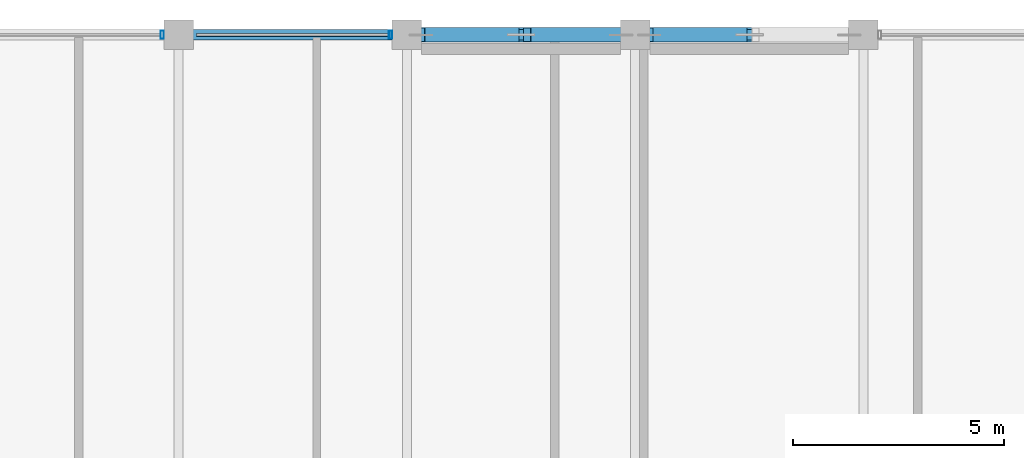
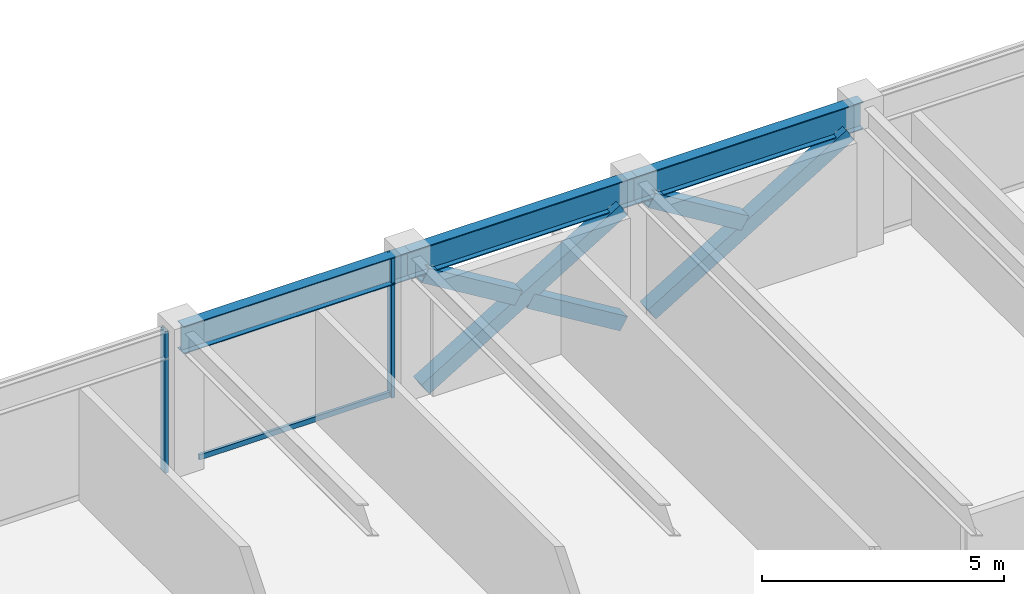
# One storey, part 17 of 30: 8 members, 3 beams, 1 element without a shape of its own.
"""IFC4 building model written with IfcOpenShell, lengths in metres."""

from ifc_helpers import new_model, si_unit, direction, frame, origin, origin_2d, place, context, subcontext, project, spatial, hollow_rectangle, i_section, extrude, material, layer, layer_set, material_profile, profile_set, type_object, element, aggregate, save


model = new_model("IFC4")

# Units and contexts
model_context = context("Model", 3, precision=1e-05, world=origin(), true_north=direction((0.0, 1.0)))
body_context = subcontext(model_context, "Body", "Model", "MODEL_VIEW")
ifc_project = project(units=[si_unit("LENGTHUNIT", "METRE"), si_unit("AREAUNIT", "SQUARE_METRE"), si_unit("VOLUMEUNIT", "CUBIC_METRE"), si_unit("PLANEANGLEUNIT", "RADIAN"), si_unit("MASSUNIT", "GRAM", prefix="KILO")], contexts=[model_context])

# Site, building, storey
site_placement = place(None, origin())
site = spatial("IfcSite", under=ifc_project, at=site_placement, CompositionType="ELEMENT")
building_placement = place(site_placement, origin())
building = spatial("IfcBuilding", under=site, at=building_placement, Name="Surkhivell Harbour Commons", CompositionType="ELEMENT")
storey_placement = place(building_placement, frame((0.0, 0.0, 307.5)))
storey = spatial("IfcBuildingStorey", under=building, at=storey_placement, Name="L80", CompositionType="ELEMENT", Elevation=307.5)

# Beams
ifc_material_1 = material(Name="Steel S355", Category="steel")
ifc_material_profile_1 = material_profile(ifc_material_1, i_section(OverallWidth=0.256103515625, OverallDepth=0.693115234375, WebThickness=0.014404296875, FlangeThickness=0.023681640625, at=origin_2d()), Name="UB686x254x170")
ifc_profile_set_1 = profile_set([ifc_material_profile_1], Name="Steel S355")
beam_type = type_object("IfcBeamType", Name="BM-SPN-686", PredefinedType="SPANDREL", material=ifc_profile_set_1)
beam_placement = place(storey_placement, frame((-10.800048828125, 25.89990234375, 3.223388671875), z_axis=(1.0, 0.0, 0.0), x_axis=(0.0, 1.0, 0.0)))
element("IfcBeam", 1, at=beam_placement, inside=storey, type_object=beam_type, Name="L80 Tube Spandrel (-10.8,25.9)", PredefinedType="SPANDREL", context=body_context, shape_type="SweptSolid", body=[
    extrude(i_section(OverallWidth=0.256103515625, OverallDepth=0.693115234375, WebThickness=0.014404296875, FlangeThickness=0.023681640625, at=origin_2d()), origin(), (0.0, 0.0, 1.0), 5.400146484375),
])
for number, where, z_axis, x_axis, name in (
    (2, (-5.39990234375, 25.89990234375, 3.223388671875), (1.0, 0.0, 0.0), (0.0, 1.0, 0.0), "L80 Tube Spandrel (-5.4,25.9)"),
    (3, (0.0, 25.89990234375, 3.223388671875), (1.0, 0.0, 0.0), (0.0, 1.0, 0.0), "L80 Tube Spandrel (-0.0,25.9)"),
):
    element("IfcBeam", number, at=place(storey_placement, frame(where, z_axis=z_axis, x_axis=x_axis)), inside=storey, type_object=beam_type, Name=name, PredefinedType="SPANDREL", context=body_context, shape_type="SweptSolid", body=[
        extrude(i_section(OverallWidth=0.256103515625, OverallDepth=0.693115234375, WebThickness=0.014404296875, FlangeThickness=0.023681640625, at=origin_2d()), origin(), (0.0, 0.0, 1.0), 5.39990234375),
    ])

# Curtain wall, members
ifc_material_2 = material(Name="Anodised pale-metal aluminium and insulated glazing", Category="aluminium")
ifc_layer = layer(ifc_material_2, 0.175048828125)
ifc_layer_set = layer_set([ifc_layer], Name="Anodised pale-metal aluminium and insulated glazing")
curtain_wall_type = type_object("IfcCurtainWallType", Name="CW-SYS-Z4", PredefinedType="NOTDEFINED", material=ifc_layer_set)
curtain_wall_placement = place(storey_placement, origin())
curtain_wall = element("IfcCurtainWall", 4, at=curtain_wall_placement, inside=storey, type_object=curtain_wall_type, Name="L80 Curtain Wall CW-L80-E07S2", PredefinedType="NOTDEFINED")
ifc_material_3 = material(Name="Anodised pale-metal aluminium alloy 6063-T6", Category="aluminium")
ifc_material_profile_2 = material_profile(ifc_material_3, hollow_rectangle(XDim=0.074951171875, YDim=0.18994140625, WallThickness=0.00390625, at=origin_2d()), Name="ALU-MULL-75x190")
ifc_profile_set_2 = profile_set([ifc_material_profile_2], Name="Anodised pale-metal aluminium alloy 6063-T6")
member_type_1 = type_object("IfcMemberType", Name="CWM-190", PredefinedType="MULLION", material=ifc_profile_set_2)
member_1_placement = place(storey_placement, frame((-5.78955078125, 25.89990234375, 0.0), z_axis=(0.0, 0.0, 1.0), x_axis=(-1.0, 0.0, 0.0)))
member_1 = element("IfcMember", 5, at=member_1_placement, type_object=member_type_1, Name="CW-Z4 mullion 1", PredefinedType="MULLION", context=body_context, shape_type="SweptSolid", body=[
    extrude(hollow_rectangle(XDim=0.074951171875, YDim=0.18994140625, WallThickness=0.00390625, at=origin_2d()), origin(), (0.0, 0.0, 1.0), 3.570068359375),
])
member_2_placement = place(storey_placement, frame((-11.189453125, 25.89990234375, 0.0), z_axis=(0.0, 0.0, 1.0), x_axis=(-1.0, 0.0, 0.0)))
member_2 = element("IfcMember", 6, at=member_2_placement, type_object=member_type_1, Name="CW-Z4 mullion 2", PredefinedType="MULLION", context=body_context, shape_type="SweptSolid", body=[
    extrude(hollow_rectangle(XDim=0.074951171875, YDim=0.18994140625, WallThickness=0.00390625, at=origin_2d()), origin(), (0.0, 0.0, 1.0), 3.570068359375),
])
ifc_material_4 = material(Name="Champagne anodised aluminium alloy 6063-T6", Category="aluminium")
ifc_material_profile_3 = material_profile(ifc_material_4, hollow_rectangle(XDim=0.070068359375, YDim=0.1298828125, WallThickness=0.00341796875, at=origin_2d()), Name="ALU-TRAN-70x130")
ifc_profile_set_3 = profile_set([ifc_material_profile_3], Name="Champagne anodised aluminium alloy 6063-T6")
member_type_2 = type_object("IfcMemberType", Name="CWT-130", PredefinedType="USERDEFINED", material=ifc_profile_set_3)
member_3_placement = place(storey_placement, frame((-5.826904296875, 25.89990234375, 0.06494140625), z_axis=(-1.0, 0.0, 0.0), x_axis=(0.0, -1.0, 0.0)))
member_3 = element("IfcMember", 7, at=member_3_placement, type_object=member_type_2, Name="CW-Z4 transom 1.1", ObjectType="TRANSOM", PredefinedType="USERDEFINED", context=body_context, shape_type="SweptSolid", body=[
    extrude(hollow_rectangle(XDim=0.070068359375, YDim=0.1298828125, WallThickness=0.00341796875, at=origin_2d()), origin(), (0.0, 0.0, 1.0), 4.546142578125),
])
aggregate(curtain_wall, [member_1, member_3, member_2])

# Members
ifc_material_profile_4 = material_profile(ifc_material_1, hollow_rectangle(XDim=0.35009765625, YDim=0.35009765625, WallThickness=0.01611328125, at=origin_2d()), Name="SHS350x350x16")
ifc_profile_set_4 = profile_set([ifc_material_profile_4], Name="Steel S355")
member_type_3 = type_object("IfcMemberType", Name="MEM-BRC-SHS350", PredefinedType="BRACE", material=ifc_profile_set_4)
member_4_placement = place(storey_placement, frame((-5.06494140625, 25.89990234375, 0.008056640625), z_axis=(0.854685454322, 0.0, 0.519146197299), x_axis=(0.0, 1.0, 0.0)))
element("IfcMember", 8, at=member_4_placement, inside=storey, type_object=member_type_3, Name="L80 Perimeter Mega-Brace MB- 01", PredefinedType="BRACE", context=body_context, shape_type="SweptSolid", body=[
    extrude(hollow_rectangle(XDim=0.35009765625, YDim=0.35009765625, WallThickness=0.01611328125, at=origin_2d()), origin(), (0.0, 0.0, 1.0), 5.5341796875),
])
for number, where, z_axis, x_axis, name in (
    (9, (-0.3349609375, 25.89990234375, 0.008056640625), (-0.854678858595, 0.0, 0.51915705588), (0.0, -1.0, 0.0), "L80 Perimeter Mega-Brace MB- 02"),
    (10, (-2.843505859375, 25.89990234375, 1.53173828125), (-0.854678858595, 0.0, 0.51915705588), (0.0, -1.0, 0.0), "L80 Perimeter Mega-Brace MB- 03"),
):
    element("IfcMember", number, at=place(storey_placement, frame(where, z_axis=z_axis, x_axis=x_axis)), inside=storey, type_object=member_type_3, Name=name, PredefinedType="BRACE", context=body_context, shape_type="SweptSolid", body=[
        extrude(hollow_rectangle(XDim=0.35009765625, YDim=0.35009765625, WallThickness=0.01611328125, at=origin_2d()), origin(), (0.0, 0.0, 1.0), 2.59912109375),
    ])
member_5_placement = place(storey_placement, frame((0.3349609375, 25.89990234375, 0.008056640625), z_axis=(0.854685454322, 0.0, 0.519146197299), x_axis=(0.0, 1.0, 0.0)))
element("IfcMember", 11, at=member_5_placement, inside=storey, type_object=member_type_3, Name="L80 Perimeter Mega-Brace MB- 04", PredefinedType="BRACE", context=body_context, shape_type="SweptSolid", body=[
    extrude(hollow_rectangle(XDim=0.35009765625, YDim=0.35009765625, WallThickness=0.01611328125, at=origin_2d()), origin(), (0.0, 0.0, 1.0), 5.5341796875),
])
member_6_placement = place(storey_placement, frame((2.556396484375, 25.89990234375, 1.53173828125), z_axis=(-0.854678858595, 0.0, 0.51915705588), x_axis=(0.0, -1.0, 0.0)))
element("IfcMember", 12, at=member_6_placement, inside=storey, type_object=member_type_3, Name="L80 Perimeter Mega-Brace MB- 06", PredefinedType="BRACE", context=body_context, shape_type="SweptSolid", body=[
    extrude(hollow_rectangle(XDim=0.35009765625, YDim=0.35009765625, WallThickness=0.01611328125, at=origin_2d()), origin(), (0.0, 0.0, 1.0), 2.59912109375),
])

save(model, "model.ifc")
